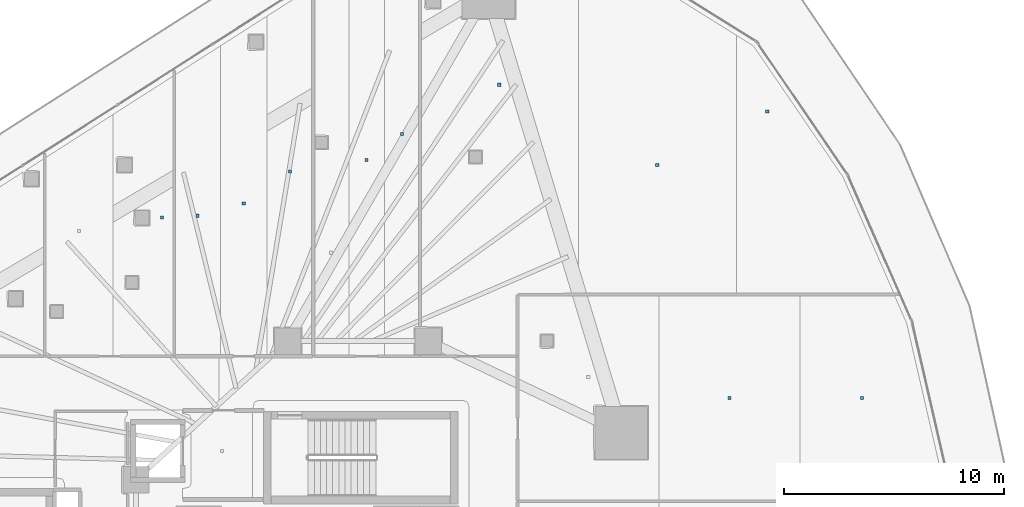
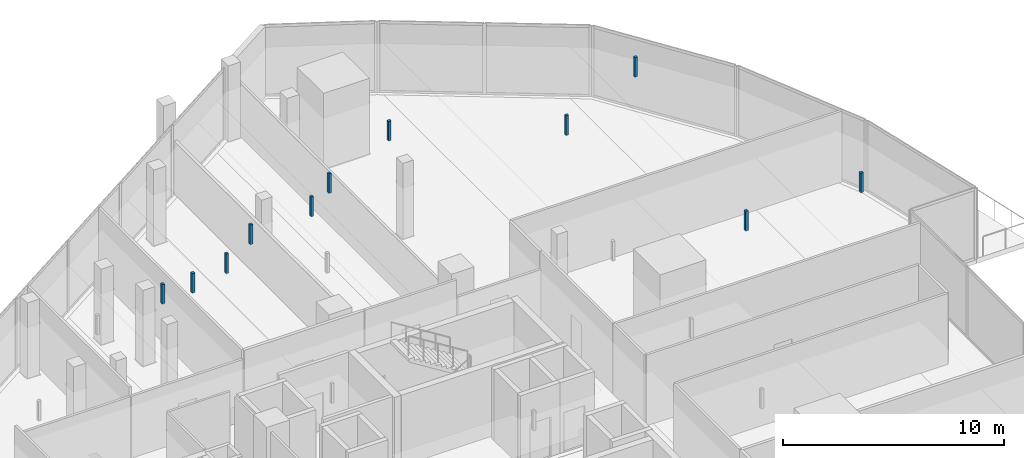
# One storey, part 34 of 44: 11 discrete accessories.
"""IFC4 building model written with IfcOpenShell, lengths in metres."""

from ifc_helpers import new_model, si_unit, direction, frame, origin, origin_2d, place, context, subcontext, project, spatial, rectangle, extrude, material, type_object, element, save


model = new_model("IFC4")

# Units and contexts
model_context = context("Model", 3, precision=1e-05, world=origin(), true_north=direction((0.0, 1.0)))
body_context = subcontext(model_context, "Body", "Model", "MODEL_VIEW")
ifc_project = project(units=[si_unit("LENGTHUNIT", "METRE"), si_unit("AREAUNIT", "SQUARE_METRE"), si_unit("VOLUMEUNIT", "CUBIC_METRE"), si_unit("PLANEANGLEUNIT", "RADIAN"), si_unit("MASSUNIT", "GRAM", prefix="KILO")], contexts=[model_context])

# Site, building, storey
site_placement = place(None, origin())
site = spatial("IfcSite", under=ifc_project, at=site_placement, CompositionType="ELEMENT")
building_placement = place(site_placement, origin())
building = spatial("IfcBuilding", under=site, at=building_placement, Name="Qorvath Tower", CompositionType="ELEMENT")
storey_placement = place(building_placement, frame((0.0, 0.0, 70.199951171875)))
storey = spatial("IfcBuildingStorey", under=building, at=storey_placement, Name="L15", CompositionType="ELEMENT", Elevation=70.199951171875)

# Discrete accessories
ifc_material = material(Name="Galvanised steel bracket", Category="steel")
discrete_accessory_type = type_object("IfcDiscreteAccessoryType", Name="DA-BRACKET", PredefinedType="BRACKET", material=ifc_material)
for number, where, z_axis, x_axis, name in (
    (1, (-29.31103515625, 17.080810546875, 2.85986328125), (0.0, 0.0, 1.0), (1.0, 0.0, 0.0), "Acoustic Ceiling Suspension Hanger T1-L15-009"),
    (2, (-27.696533203125, 17.154296875, 2.85986328125), (0.0, 0.0, 1.0), (1.0, 0.0, 0.0), "Acoustic Ceiling Suspension Hanger T1-L15-010"),
    (3, (-25.596435546875, 17.718505859375, 2.85986328125), (0.0, 0.0, 1.0), (1.0, 0.0, 0.0), "Acoustic Ceiling Suspension Hanger T1-L15-011"),
    (4, (-23.496337890625, 19.161376953125, 2.85986328125), (0.0, 0.0, 1.0), (1.0, 0.0, 0.0), "Acoustic Ceiling Suspension Hanger T1-L15-012"),
    (5, (-20.00732421875, 19.689208984375, 2.85986328125), (0.0, 0.0, 1.0), (1.0, 0.0, 0.0), "Acoustic Ceiling Suspension Hanger T1-L15-014"),
    (6, (-18.3935546875, 20.87841796875, 2.85986328125), (0.0, 0.0, 1.0), (1.0, 0.0, 0.0), "Acoustic Ceiling Suspension Hanger T1-L15-015"),
    (7, (-13.974853515625, 23.11181640625, 2.85986328125), (0.0, 0.0, 1.0), (1.0, 0.0, 0.0), "Acoustic Ceiling Suspension Hanger T1-L15-016"),
    (8, (-6.787353515625, 19.4716796875, 2.85986328125), (0.0, 0.0, 1.0), (1.0, 0.0, 0.0), "Acoustic Ceiling Suspension Hanger T1-L15-017"),
    (9, (-1.782958984375, 21.893798828125, 2.85986328125), (0.0, 0.0, 1.0), (1.0, 0.0, 0.0), "Acoustic Ceiling Suspension Hanger T1-L15-018"),
    (10, (-3.507568359375, 8.86767578125, 2.85986328125), (0.0, 0.0, 1.0), (1.0, 0.0, 0.0), "Acoustic Ceiling Suspension Hanger T1-L15-032"),
    (11, (2.521240234375, 8.8701171875, 2.85986328125), (0.0, 0.0, 1.0), (1.0, 0.0, 0.0), "Acoustic Ceiling Suspension Hanger T1-L15-033"),
):
    element("IfcDiscreteAccessory", number, at=place(storey_placement, frame(where, z_axis=z_axis, x_axis=x_axis)), inside=storey, type_object=discrete_accessory_type, Name=name, PredefinedType="NOTDEFINED", context=body_context, shape_type="SweptSolid", body=[
        extrude(rectangle(XDim=0.139892578125, YDim=0.139892578125, at=origin_2d()), origin(), (0.0, 0.0, 1.0), 1.090087890625),
    ])

save(model, "model.ifc")
